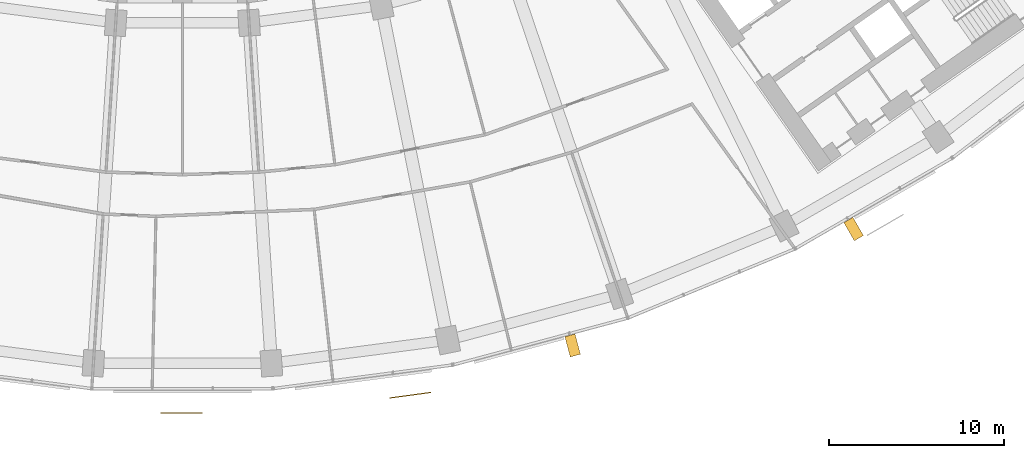
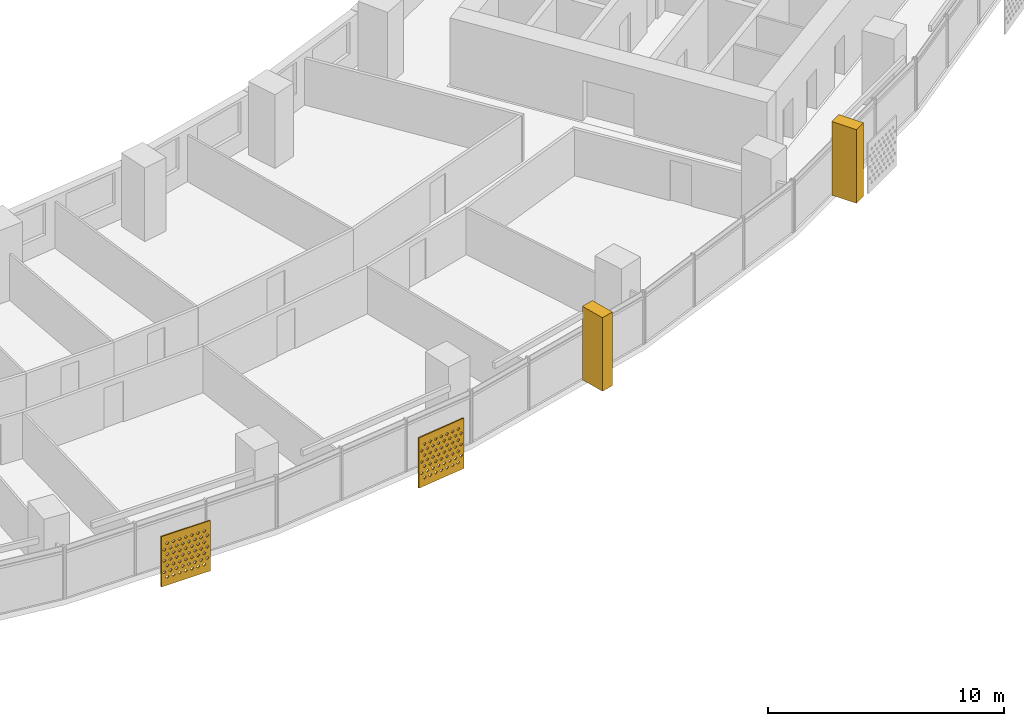
# One storey, part 27 of 29: 4 shading devices.
"""IFC4 building model written with IfcOpenShell, lengths in metres."""

from ifc_helpers import new_model, si_unit, direction, frame, origin, place, context, subcontext, project, spatial, polyline, outline, extrude, material, material_profile, profile_set, type_object, element, save


model = new_model("IFC4")

# Units and contexts
model_context = context("Model", 3, precision=1e-05, world=origin(), true_north=direction((0.0, 1.0)))
body_context = subcontext(model_context, "Body", "Model", "MODEL_VIEW")
ifc_project = project(units=[si_unit("LENGTHUNIT", "METRE"), si_unit("AREAUNIT", "SQUARE_METRE"), si_unit("VOLUMEUNIT", "CUBIC_METRE"), si_unit("PLANEANGLEUNIT", "RADIAN"), si_unit("MASSUNIT", "GRAM", prefix="KILO")], contexts=[model_context])

# Site, building, storey
site_placement = place(None, origin())
site = spatial("IfcSite", under=ifc_project, at=site_placement, CompositionType="ELEMENT")
building_placement = place(site_placement, origin())
building = spatial("IfcBuilding", under=site, at=building_placement, Name="Qamariyya Broadcast Tower", CompositionType="ELEMENT")
storey_placement = place(building_placement, frame((0.0, 0.0, 136.699951171875)))
storey = spatial("IfcBuildingStorey", under=building, at=storey_placement, Name="L31", CompositionType="ELEMENT", Elevation=136.699951171875)

# Shading devices
ifc_material_1 = material(Name="Steel S355 powder coated deep red", Category="steel")
shading_device_type_1 = type_object("IfcShadingDeviceType", Name="Deep red frame, powder coated steel box section", PredefinedType="USERDEFINED", material=ifc_material_1)
shading_device_1_placement = place(storey_placement, origin())
element("IfcShadingDevice", 1, at=shading_device_1_placement, inside=storey, type_object=shading_device_type_1, Name="e-frm-B2-F3-posta-L31", ObjectType="FRAME", PredefinedType="USERDEFINED", context=body_context, shape_type="SweptSolid", body=[
    extrude(outline(polyline([(21.860595703125, -76.064208984375), (22.171142578125, -77.22314453125), (22.750732421875, -77.06787109375), (22.440185546875, -75.908935546875), (21.860595703125, -76.064208984375)])), origin(), (0.0, 0.0, 1.0), 3.800048828125),
])
shading_device_2_placement = place(storey_placement, origin())
element("IfcShadingDevice", 2, at=shading_device_2_placement, inside=storey, type_object=shading_device_type_1, Name="e-frm-B2-F3-postb-L31", ObjectType="FRAME", PredefinedType="USERDEFINED", context=body_context, shape_type="SweptSolid", body=[
    extrude(outline(polyline([(37.80810546875, -69.543212890625), (38.408203125, -70.58251953125), (38.927734375, -70.282470703125), (38.32763671875, -69.2431640625), (37.80810546875, -69.543212890625)])), origin(), (0.0, 0.0, 1.0), 3.800048828125),
])
ifc_material_2 = material(Name="Perforated glazed terracotta", Category="masonry")
ifc_material_profile = material_profile(ifc_material_2, outline(polyline([(-1.199951171875, -1.300048828125), (1.199951171875, -1.300048828125), (1.199951171875, 1.300048828125), (-1.199951171875, 1.300048828125), (-1.199951171875, -1.300048828125)]), holes=[polyline([(-0.81494140625, -0.86669921875), (-0.89990234375, -0.78173828125), (-0.985107421875, -0.86669921875), (-0.89990234375, -0.95166015625), (-0.81494140625, -0.86669921875)]), polyline([(-0.514892578125, -0.86669921875), (-0.60009765625, -0.78173828125), (-0.68505859375, -0.86669921875), (-0.60009765625, -0.95166015625), (-0.514892578125, -0.86669921875)]), polyline([(-0.215087890625, -0.86669921875), (-0.300048828125, -0.78173828125), (-0.385009765625, -0.86669921875), (-0.300048828125, -0.95166015625), (-0.215087890625, -0.86669921875)]), polyline([(0.0849609375, -0.86669921875), (0.0, -0.78173828125), (-0.0849609375, -0.86669921875), (0.0, -0.95166015625), (0.0849609375, -0.86669921875)]), polyline([(0.385009765625, -0.86669921875), (0.300048828125, -0.78173828125), (0.215087890625, -0.86669921875), (0.300048828125, -0.95166015625), (0.385009765625, -0.86669921875)]), polyline([(0.68505859375, -0.86669921875), (0.60009765625, -0.78173828125), (0.514892578125, -0.86669921875), (0.60009765625, -0.95166015625), (0.68505859375, -0.86669921875)]), polyline([(0.985107421875, -0.86669921875), (0.89990234375, -0.78173828125), (0.81494140625, -0.86669921875), (0.89990234375, -0.95166015625), (0.985107421875, -0.86669921875)]), polyline([(-0.965087890625, -0.577880859375), (-1.050048828125, -0.49267578125), (-1.135009765625, -0.577880859375), (-1.050048828125, -0.662841796875), (-0.965087890625, -0.577880859375)]), polyline([(-0.6650390625, -0.577880859375), (-0.75, -0.49267578125), (-0.8349609375, -0.577880859375), (-0.75, -0.662841796875), (-0.6650390625, -0.577880859375)]), polyline([(-0.364990234375, -0.577880859375), (-0.449951171875, -0.49267578125), (-0.534912109375, -0.577880859375), (-0.449951171875, -0.662841796875), (-0.364990234375, -0.577880859375)]), polyline([(-0.06494140625, -0.577880859375), (-0.14990234375, -0.49267578125), (-0.235107421875, -0.577880859375), (-0.14990234375, -0.662841796875), (-0.06494140625, -0.577880859375)]), polyline([(0.235107421875, -0.577880859375), (0.14990234375, -0.49267578125), (0.06494140625, -0.577880859375), (0.14990234375, -0.662841796875), (0.235107421875, -0.577880859375)]), polyline([(0.534912109375, -0.577880859375), (0.449951171875, -0.49267578125), (0.364990234375, -0.577880859375), (0.449951171875, -0.662841796875), (0.534912109375, -0.577880859375)]), polyline([(0.8349609375, -0.577880859375), (0.75, -0.49267578125), (0.6650390625, -0.577880859375), (0.75, -0.662841796875), (0.8349609375, -0.577880859375)]), polyline([(1.135009765625, -0.577880859375), (1.050048828125, -0.49267578125), (0.965087890625, -0.577880859375), (1.050048828125, -0.662841796875), (1.135009765625, -0.577880859375)]), polyline([(-0.81494140625, -0.288818359375), (-0.89990234375, -0.203857421875), (-0.985107421875, -0.288818359375), (-0.89990234375, -0.373779296875), (-0.81494140625, -0.288818359375)]), polyline([(-0.514892578125, -0.288818359375), (-0.60009765625, -0.203857421875), (-0.68505859375, -0.288818359375), (-0.60009765625, -0.373779296875), (-0.514892578125, -0.288818359375)]), polyline([(-0.215087890625, -0.288818359375), (-0.300048828125, -0.203857421875), (-0.385009765625, -0.288818359375), (-0.300048828125, -0.373779296875), (-0.215087890625, -0.288818359375)]), polyline([(0.0849609375, -0.288818359375), (0.0, -0.203857421875), (-0.0849609375, -0.288818359375), (0.0, -0.373779296875), (0.0849609375, -0.288818359375)]), polyline([(0.385009765625, -0.288818359375), (0.300048828125, -0.203857421875), (0.215087890625, -0.288818359375), (0.300048828125, -0.373779296875), (0.385009765625, -0.288818359375)]), polyline([(0.68505859375, -0.288818359375), (0.60009765625, -0.203857421875), (0.514892578125, -0.288818359375), (0.60009765625, -0.373779296875), (0.68505859375, -0.288818359375)]), polyline([(0.985107421875, -0.288818359375), (0.89990234375, -0.203857421875), (0.81494140625, -0.288818359375), (0.89990234375, -0.373779296875), (0.985107421875, -0.288818359375)]), polyline([(-0.965087890625, 0.0), (-1.050048828125, 0.0849609375), (-1.135009765625, 0.0), (-1.050048828125, -0.0849609375), (-0.965087890625, 0.0)]), polyline([(-0.6650390625, 0.0), (-0.75, 0.0849609375), (-0.8349609375, 0.0), (-0.75, -0.0849609375), (-0.6650390625, 0.0)]), polyline([(-0.364990234375, 0.0), (-0.449951171875, 0.0849609375), (-0.534912109375, 0.0), (-0.449951171875, -0.0849609375), (-0.364990234375, 0.0)]), polyline([(-0.06494140625, 0.0), (-0.14990234375, 0.0849609375), (-0.235107421875, 0.0), (-0.14990234375, -0.0849609375), (-0.06494140625, 0.0)]), polyline([(0.235107421875, 0.0), (0.14990234375, 0.0849609375), (0.06494140625, 0.0), (0.14990234375, -0.0849609375), (0.235107421875, 0.0)]), polyline([(0.534912109375, 0.0), (0.449951171875, 0.0849609375), (0.364990234375, 0.0), (0.449951171875, -0.0849609375), (0.534912109375, 0.0)]), polyline([(0.8349609375, 0.0), (0.75, 0.0849609375), (0.6650390625, 0.0), (0.75, -0.0849609375), (0.8349609375, 0.0)]), polyline([(1.135009765625, 0.0), (1.050048828125, 0.0849609375), (0.965087890625, 0.0), (1.050048828125, -0.0849609375), (1.135009765625, 0.0)]), polyline([(-0.81494140625, 0.288818359375), (-0.89990234375, 0.373779296875), (-0.985107421875, 0.288818359375), (-0.89990234375, 0.203857421875), (-0.81494140625, 0.288818359375)]), polyline([(-0.514892578125, 0.288818359375), (-0.60009765625, 0.373779296875), (-0.68505859375, 0.288818359375), (-0.60009765625, 0.203857421875), (-0.514892578125, 0.288818359375)]), polyline([(-0.215087890625, 0.288818359375), (-0.300048828125, 0.373779296875), (-0.385009765625, 0.288818359375), (-0.300048828125, 0.203857421875), (-0.215087890625, 0.288818359375)]), polyline([(0.0849609375, 0.288818359375), (0.0, 0.373779296875), (-0.0849609375, 0.288818359375), (0.0, 0.203857421875), (0.0849609375, 0.288818359375)]), polyline([(0.385009765625, 0.288818359375), (0.300048828125, 0.373779296875), (0.215087890625, 0.288818359375), (0.300048828125, 0.203857421875), (0.385009765625, 0.288818359375)]), polyline([(0.68505859375, 0.288818359375), (0.60009765625, 0.373779296875), (0.514892578125, 0.288818359375), (0.60009765625, 0.203857421875), (0.68505859375, 0.288818359375)]), polyline([(0.985107421875, 0.288818359375), (0.89990234375, 0.373779296875), (0.81494140625, 0.288818359375), (0.89990234375, 0.203857421875), (0.985107421875, 0.288818359375)]), polyline([(-0.965087890625, 0.577880859375), (-1.050048828125, 0.662841796875), (-1.135009765625, 0.577880859375), (-1.050048828125, 0.49267578125), (-0.965087890625, 0.577880859375)]), polyline([(-0.6650390625, 0.577880859375), (-0.75, 0.662841796875), (-0.8349609375, 0.577880859375), (-0.75, 0.49267578125), (-0.6650390625, 0.577880859375)]), polyline([(-0.364990234375, 0.577880859375), (-0.449951171875, 0.662841796875), (-0.534912109375, 0.577880859375), (-0.449951171875, 0.49267578125), (-0.364990234375, 0.577880859375)]), polyline([(-0.06494140625, 0.577880859375), (-0.14990234375, 0.662841796875), (-0.235107421875, 0.577880859375), (-0.14990234375, 0.49267578125), (-0.06494140625, 0.577880859375)]), polyline([(0.235107421875, 0.577880859375), (0.14990234375, 0.662841796875), (0.06494140625, 0.577880859375), (0.14990234375, 0.49267578125), (0.235107421875, 0.577880859375)]), polyline([(0.534912109375, 0.577880859375), (0.449951171875, 0.662841796875), (0.364990234375, 0.577880859375), (0.449951171875, 0.49267578125), (0.534912109375, 0.577880859375)]), polyline([(0.8349609375, 0.577880859375), (0.75, 0.662841796875), (0.6650390625, 0.577880859375), (0.75, 0.49267578125), (0.8349609375, 0.577880859375)]), polyline([(1.135009765625, 0.577880859375), (1.050048828125, 0.662841796875), (0.965087890625, 0.577880859375), (1.050048828125, 0.49267578125), (1.135009765625, 0.577880859375)]), polyline([(-0.81494140625, 0.86669921875), (-0.89990234375, 0.95166015625), (-0.985107421875, 0.86669921875), (-0.89990234375, 0.78173828125), (-0.81494140625, 0.86669921875)]), polyline([(-0.514892578125, 0.86669921875), (-0.60009765625, 0.95166015625), (-0.68505859375, 0.86669921875), (-0.60009765625, 0.78173828125), (-0.514892578125, 0.86669921875)]), polyline([(-0.215087890625, 0.86669921875), (-0.300048828125, 0.95166015625), (-0.385009765625, 0.86669921875), (-0.300048828125, 0.78173828125), (-0.215087890625, 0.86669921875)]), polyline([(0.0849609375, 0.86669921875), (0.0, 0.95166015625), (-0.0849609375, 0.86669921875), (0.0, 0.78173828125), (0.0849609375, 0.86669921875)]), polyline([(0.385009765625, 0.86669921875), (0.300048828125, 0.95166015625), (0.215087890625, 0.86669921875), (0.300048828125, 0.78173828125), (0.385009765625, 0.86669921875)]), polyline([(0.68505859375, 0.86669921875), (0.60009765625, 0.95166015625), (0.514892578125, 0.86669921875), (0.60009765625, 0.78173828125), (0.68505859375, 0.86669921875)]), polyline([(0.985107421875, 0.86669921875), (0.89990234375, 0.95166015625), (0.81494140625, 0.86669921875), (0.89990234375, 0.78173828125), (0.985107421875, 0.86669921875)])]))
ifc_profile_set = profile_set([ifc_material_profile], Name="Perforated glazed terracotta")
shading_device_type_2 = type_object("IfcShadingDeviceType", Name="Perforated terracotta screen 2400 x 2600", PredefinedType="USERDEFINED", material=ifc_profile_set)
shading_device_3_placement = place(storey_placement, frame((-0.046630859375, -80.400146484375, 1.35009765625), z_axis=(0.0, -1.0, 0.0), x_axis=(1.0, 0.0, 0.0)))
element("IfcShadingDevice", 3, at=shading_device_3_placement, inside=storey, type_object=shading_device_type_2, Name="e-scr-L31-09-1", ObjectType="SCREEN", PredefinedType="USERDEFINED", context=body_context, shape_type="SweptSolid", body=[
    extrude(outline(polyline([(-1.199951171875, -1.300048828125), (1.199951171875, -1.300048828125), (1.199951171875, 1.300048828125), (-1.199951171875, 1.300048828125), (-1.199951171875, -1.300048828125)]), holes=[polyline([(-0.81494140625, -0.86669921875), (-0.89990234375, -0.78173828125), (-0.985107421875, -0.86669921875), (-0.89990234375, -0.95166015625), (-0.81494140625, -0.86669921875)]), polyline([(-0.514892578125, -0.86669921875), (-0.60009765625, -0.78173828125), (-0.68505859375, -0.86669921875), (-0.60009765625, -0.95166015625), (-0.514892578125, -0.86669921875)]), polyline([(-0.215087890625, -0.86669921875), (-0.300048828125, -0.78173828125), (-0.385009765625, -0.86669921875), (-0.300048828125, -0.95166015625), (-0.215087890625, -0.86669921875)]), polyline([(0.0849609375, -0.86669921875), (0.0, -0.78173828125), (-0.0849609375, -0.86669921875), (0.0, -0.95166015625), (0.0849609375, -0.86669921875)]), polyline([(0.385009765625, -0.86669921875), (0.300048828125, -0.78173828125), (0.215087890625, -0.86669921875), (0.300048828125, -0.95166015625), (0.385009765625, -0.86669921875)]), polyline([(0.68505859375, -0.86669921875), (0.60009765625, -0.78173828125), (0.514892578125, -0.86669921875), (0.60009765625, -0.95166015625), (0.68505859375, -0.86669921875)]), polyline([(0.985107421875, -0.86669921875), (0.89990234375, -0.78173828125), (0.81494140625, -0.86669921875), (0.89990234375, -0.95166015625), (0.985107421875, -0.86669921875)]), polyline([(-0.965087890625, -0.577880859375), (-1.050048828125, -0.49267578125), (-1.135009765625, -0.577880859375), (-1.050048828125, -0.662841796875), (-0.965087890625, -0.577880859375)]), polyline([(-0.6650390625, -0.577880859375), (-0.75, -0.49267578125), (-0.8349609375, -0.577880859375), (-0.75, -0.662841796875), (-0.6650390625, -0.577880859375)]), polyline([(-0.364990234375, -0.577880859375), (-0.449951171875, -0.49267578125), (-0.534912109375, -0.577880859375), (-0.449951171875, -0.662841796875), (-0.364990234375, -0.577880859375)]), polyline([(-0.06494140625, -0.577880859375), (-0.14990234375, -0.49267578125), (-0.235107421875, -0.577880859375), (-0.14990234375, -0.662841796875), (-0.06494140625, -0.577880859375)]), polyline([(0.235107421875, -0.577880859375), (0.14990234375, -0.49267578125), (0.06494140625, -0.577880859375), (0.14990234375, -0.662841796875), (0.235107421875, -0.577880859375)]), polyline([(0.534912109375, -0.577880859375), (0.449951171875, -0.49267578125), (0.364990234375, -0.577880859375), (0.449951171875, -0.662841796875), (0.534912109375, -0.577880859375)]), polyline([(0.8349609375, -0.577880859375), (0.75, -0.49267578125), (0.6650390625, -0.577880859375), (0.75, -0.662841796875), (0.8349609375, -0.577880859375)]), polyline([(1.135009765625, -0.577880859375), (1.050048828125, -0.49267578125), (0.965087890625, -0.577880859375), (1.050048828125, -0.662841796875), (1.135009765625, -0.577880859375)]), polyline([(-0.81494140625, -0.288818359375), (-0.89990234375, -0.203857421875), (-0.985107421875, -0.288818359375), (-0.89990234375, -0.373779296875), (-0.81494140625, -0.288818359375)]), polyline([(-0.514892578125, -0.288818359375), (-0.60009765625, -0.203857421875), (-0.68505859375, -0.288818359375), (-0.60009765625, -0.373779296875), (-0.514892578125, -0.288818359375)]), polyline([(-0.215087890625, -0.288818359375), (-0.300048828125, -0.203857421875), (-0.385009765625, -0.288818359375), (-0.300048828125, -0.373779296875), (-0.215087890625, -0.288818359375)]), polyline([(0.0849609375, -0.288818359375), (0.0, -0.203857421875), (-0.0849609375, -0.288818359375), (0.0, -0.373779296875), (0.0849609375, -0.288818359375)]), polyline([(0.385009765625, -0.288818359375), (0.300048828125, -0.203857421875), (0.215087890625, -0.288818359375), (0.300048828125, -0.373779296875), (0.385009765625, -0.288818359375)]), polyline([(0.68505859375, -0.288818359375), (0.60009765625, -0.203857421875), (0.514892578125, -0.288818359375), (0.60009765625, -0.373779296875), (0.68505859375, -0.288818359375)]), polyline([(0.985107421875, -0.288818359375), (0.89990234375, -0.203857421875), (0.81494140625, -0.288818359375), (0.89990234375, -0.373779296875), (0.985107421875, -0.288818359375)]), polyline([(-0.965087890625, 0.0), (-1.050048828125, 0.0849609375), (-1.135009765625, 0.0), (-1.050048828125, -0.0849609375), (-0.965087890625, 0.0)]), polyline([(-0.6650390625, 0.0), (-0.75, 0.0849609375), (-0.8349609375, 0.0), (-0.75, -0.0849609375), (-0.6650390625, 0.0)]), polyline([(-0.364990234375, 0.0), (-0.449951171875, 0.0849609375), (-0.534912109375, 0.0), (-0.449951171875, -0.0849609375), (-0.364990234375, 0.0)]), polyline([(-0.06494140625, 0.0), (-0.14990234375, 0.0849609375), (-0.235107421875, 0.0), (-0.14990234375, -0.0849609375), (-0.06494140625, 0.0)]), polyline([(0.235107421875, 0.0), (0.14990234375, 0.0849609375), (0.06494140625, 0.0), (0.14990234375, -0.0849609375), (0.235107421875, 0.0)]), polyline([(0.534912109375, 0.0), (0.449951171875, 0.0849609375), (0.364990234375, 0.0), (0.449951171875, -0.0849609375), (0.534912109375, 0.0)]), polyline([(0.8349609375, 0.0), (0.75, 0.0849609375), (0.6650390625, 0.0), (0.75, -0.0849609375), (0.8349609375, 0.0)]), polyline([(1.135009765625, 0.0), (1.050048828125, 0.0849609375), (0.965087890625, 0.0), (1.050048828125, -0.0849609375), (1.135009765625, 0.0)]), polyline([(-0.81494140625, 0.288818359375), (-0.89990234375, 0.373779296875), (-0.985107421875, 0.288818359375), (-0.89990234375, 0.203857421875), (-0.81494140625, 0.288818359375)]), polyline([(-0.514892578125, 0.288818359375), (-0.60009765625, 0.373779296875), (-0.68505859375, 0.288818359375), (-0.60009765625, 0.203857421875), (-0.514892578125, 0.288818359375)]), polyline([(-0.215087890625, 0.288818359375), (-0.300048828125, 0.373779296875), (-0.385009765625, 0.288818359375), (-0.300048828125, 0.203857421875), (-0.215087890625, 0.288818359375)]), polyline([(0.0849609375, 0.288818359375), (0.0, 0.373779296875), (-0.0849609375, 0.288818359375), (0.0, 0.203857421875), (0.0849609375, 0.288818359375)]), polyline([(0.385009765625, 0.288818359375), (0.300048828125, 0.373779296875), (0.215087890625, 0.288818359375), (0.300048828125, 0.203857421875), (0.385009765625, 0.288818359375)]), polyline([(0.68505859375, 0.288818359375), (0.60009765625, 0.373779296875), (0.514892578125, 0.288818359375), (0.60009765625, 0.203857421875), (0.68505859375, 0.288818359375)]), polyline([(0.985107421875, 0.288818359375), (0.89990234375, 0.373779296875), (0.81494140625, 0.288818359375), (0.89990234375, 0.203857421875), (0.985107421875, 0.288818359375)]), polyline([(-0.965087890625, 0.577880859375), (-1.050048828125, 0.662841796875), (-1.135009765625, 0.577880859375), (-1.050048828125, 0.49267578125), (-0.965087890625, 0.577880859375)]), polyline([(-0.6650390625, 0.577880859375), (-0.75, 0.662841796875), (-0.8349609375, 0.577880859375), (-0.75, 0.49267578125), (-0.6650390625, 0.577880859375)]), polyline([(-0.364990234375, 0.577880859375), (-0.449951171875, 0.662841796875), (-0.534912109375, 0.577880859375), (-0.449951171875, 0.49267578125), (-0.364990234375, 0.577880859375)]), polyline([(-0.06494140625, 0.577880859375), (-0.14990234375, 0.662841796875), (-0.235107421875, 0.577880859375), (-0.14990234375, 0.49267578125), (-0.06494140625, 0.577880859375)]), polyline([(0.235107421875, 0.577880859375), (0.14990234375, 0.662841796875), (0.06494140625, 0.577880859375), (0.14990234375, 0.49267578125), (0.235107421875, 0.577880859375)]), polyline([(0.534912109375, 0.577880859375), (0.449951171875, 0.662841796875), (0.364990234375, 0.577880859375), (0.449951171875, 0.49267578125), (0.534912109375, 0.577880859375)]), polyline([(0.8349609375, 0.577880859375), (0.75, 0.662841796875), (0.6650390625, 0.577880859375), (0.75, 0.49267578125), (0.8349609375, 0.577880859375)]), polyline([(1.135009765625, 0.577880859375), (1.050048828125, 0.662841796875), (0.965087890625, 0.577880859375), (1.050048828125, 0.49267578125), (1.135009765625, 0.577880859375)]), polyline([(-0.81494140625, 0.86669921875), (-0.89990234375, 0.95166015625), (-0.985107421875, 0.86669921875), (-0.89990234375, 0.78173828125), (-0.81494140625, 0.86669921875)]), polyline([(-0.514892578125, 0.86669921875), (-0.60009765625, 0.95166015625), (-0.68505859375, 0.86669921875), (-0.60009765625, 0.78173828125), (-0.514892578125, 0.86669921875)]), polyline([(-0.215087890625, 0.86669921875), (-0.300048828125, 0.95166015625), (-0.385009765625, 0.86669921875), (-0.300048828125, 0.78173828125), (-0.215087890625, 0.86669921875)]), polyline([(0.0849609375, 0.86669921875), (0.0, 0.95166015625), (-0.0849609375, 0.86669921875), (0.0, 0.78173828125), (0.0849609375, 0.86669921875)]), polyline([(0.385009765625, 0.86669921875), (0.300048828125, 0.95166015625), (0.215087890625, 0.86669921875), (0.300048828125, 0.78173828125), (0.385009765625, 0.86669921875)]), polyline([(0.68505859375, 0.86669921875), (0.60009765625, 0.95166015625), (0.514892578125, 0.86669921875), (0.60009765625, 0.78173828125), (0.68505859375, 0.86669921875)]), polyline([(0.985107421875, 0.86669921875), (0.89990234375, 0.95166015625), (0.81494140625, 0.86669921875), (0.89990234375, 0.78173828125), (0.985107421875, 0.86669921875)])]), origin(), (0.0, 0.0, 1.0), 0.06005859375),
])
shading_device_4_placement = place(storey_placement, frame((13.01904296875, -79.3798828125, 1.35009765625), z_axis=(0.134025693798, -0.99097785717, 0.0), x_axis=(0.99097785717, 0.134025693798, 0.0)))
element("IfcShadingDevice", 4, at=shading_device_4_placement, inside=storey, type_object=shading_device_type_2, Name="e-scr-L31-10-2", ObjectType="SCREEN", PredefinedType="USERDEFINED", context=body_context, shape_type="SweptSolid", body=[
    extrude(outline(polyline([(-1.199951171875, -1.300048828125), (1.199951171875, -1.300048828125), (1.199951171875, 1.300048828125), (-1.199951171875, 1.300048828125), (-1.199951171875, -1.300048828125)]), holes=[polyline([(-0.81494140625, -0.86669921875), (-0.89990234375, -0.78173828125), (-0.985107421875, -0.86669921875), (-0.89990234375, -0.95166015625), (-0.81494140625, -0.86669921875)]), polyline([(-0.514892578125, -0.86669921875), (-0.60009765625, -0.78173828125), (-0.68505859375, -0.86669921875), (-0.60009765625, -0.95166015625), (-0.514892578125, -0.86669921875)]), polyline([(-0.215087890625, -0.86669921875), (-0.300048828125, -0.78173828125), (-0.385009765625, -0.86669921875), (-0.300048828125, -0.95166015625), (-0.215087890625, -0.86669921875)]), polyline([(0.0849609375, -0.86669921875), (0.0, -0.78173828125), (-0.0849609375, -0.86669921875), (0.0, -0.95166015625), (0.0849609375, -0.86669921875)]), polyline([(0.385009765625, -0.86669921875), (0.300048828125, -0.78173828125), (0.215087890625, -0.86669921875), (0.300048828125, -0.95166015625), (0.385009765625, -0.86669921875)]), polyline([(0.68505859375, -0.86669921875), (0.60009765625, -0.78173828125), (0.514892578125, -0.86669921875), (0.60009765625, -0.95166015625), (0.68505859375, -0.86669921875)]), polyline([(0.985107421875, -0.86669921875), (0.89990234375, -0.78173828125), (0.81494140625, -0.86669921875), (0.89990234375, -0.95166015625), (0.985107421875, -0.86669921875)]), polyline([(-0.965087890625, -0.577880859375), (-1.050048828125, -0.49267578125), (-1.135009765625, -0.577880859375), (-1.050048828125, -0.662841796875), (-0.965087890625, -0.577880859375)]), polyline([(-0.6650390625, -0.577880859375), (-0.75, -0.49267578125), (-0.8349609375, -0.577880859375), (-0.75, -0.662841796875), (-0.6650390625, -0.577880859375)]), polyline([(-0.364990234375, -0.577880859375), (-0.449951171875, -0.49267578125), (-0.534912109375, -0.577880859375), (-0.449951171875, -0.662841796875), (-0.364990234375, -0.577880859375)]), polyline([(-0.06494140625, -0.577880859375), (-0.14990234375, -0.49267578125), (-0.235107421875, -0.577880859375), (-0.14990234375, -0.662841796875), (-0.06494140625, -0.577880859375)]), polyline([(0.235107421875, -0.577880859375), (0.14990234375, -0.49267578125), (0.06494140625, -0.577880859375), (0.14990234375, -0.662841796875), (0.235107421875, -0.577880859375)]), polyline([(0.534912109375, -0.577880859375), (0.449951171875, -0.49267578125), (0.364990234375, -0.577880859375), (0.449951171875, -0.662841796875), (0.534912109375, -0.577880859375)]), polyline([(0.8349609375, -0.577880859375), (0.75, -0.49267578125), (0.6650390625, -0.577880859375), (0.75, -0.662841796875), (0.8349609375, -0.577880859375)]), polyline([(1.135009765625, -0.577880859375), (1.050048828125, -0.49267578125), (0.965087890625, -0.577880859375), (1.050048828125, -0.662841796875), (1.135009765625, -0.577880859375)]), polyline([(-0.81494140625, -0.288818359375), (-0.89990234375, -0.203857421875), (-0.985107421875, -0.288818359375), (-0.89990234375, -0.373779296875), (-0.81494140625, -0.288818359375)]), polyline([(-0.514892578125, -0.288818359375), (-0.60009765625, -0.203857421875), (-0.68505859375, -0.288818359375), (-0.60009765625, -0.373779296875), (-0.514892578125, -0.288818359375)]), polyline([(-0.215087890625, -0.288818359375), (-0.300048828125, -0.203857421875), (-0.385009765625, -0.288818359375), (-0.300048828125, -0.373779296875), (-0.215087890625, -0.288818359375)]), polyline([(0.0849609375, -0.288818359375), (0.0, -0.203857421875), (-0.0849609375, -0.288818359375), (0.0, -0.373779296875), (0.0849609375, -0.288818359375)]), polyline([(0.385009765625, -0.288818359375), (0.300048828125, -0.203857421875), (0.215087890625, -0.288818359375), (0.300048828125, -0.373779296875), (0.385009765625, -0.288818359375)]), polyline([(0.68505859375, -0.288818359375), (0.60009765625, -0.203857421875), (0.514892578125, -0.288818359375), (0.60009765625, -0.373779296875), (0.68505859375, -0.288818359375)]), polyline([(0.985107421875, -0.288818359375), (0.89990234375, -0.203857421875), (0.81494140625, -0.288818359375), (0.89990234375, -0.373779296875), (0.985107421875, -0.288818359375)]), polyline([(-0.965087890625, 0.0), (-1.050048828125, 0.0849609375), (-1.135009765625, 0.0), (-1.050048828125, -0.0849609375), (-0.965087890625, 0.0)]), polyline([(-0.6650390625, 0.0), (-0.75, 0.0849609375), (-0.8349609375, 0.0), (-0.75, -0.0849609375), (-0.6650390625, 0.0)]), polyline([(-0.364990234375, 0.0), (-0.449951171875, 0.0849609375), (-0.534912109375, 0.0), (-0.449951171875, -0.0849609375), (-0.364990234375, 0.0)]), polyline([(-0.06494140625, 0.0), (-0.14990234375, 0.0849609375), (-0.235107421875, 0.0), (-0.14990234375, -0.0849609375), (-0.06494140625, 0.0)]), polyline([(0.235107421875, 0.0), (0.14990234375, 0.0849609375), (0.06494140625, 0.0), (0.14990234375, -0.0849609375), (0.235107421875, 0.0)]), polyline([(0.534912109375, 0.0), (0.449951171875, 0.0849609375), (0.364990234375, 0.0), (0.449951171875, -0.0849609375), (0.534912109375, 0.0)]), polyline([(0.8349609375, 0.0), (0.75, 0.0849609375), (0.6650390625, 0.0), (0.75, -0.0849609375), (0.8349609375, 0.0)]), polyline([(1.135009765625, 0.0), (1.050048828125, 0.0849609375), (0.965087890625, 0.0), (1.050048828125, -0.0849609375), (1.135009765625, 0.0)]), polyline([(-0.81494140625, 0.288818359375), (-0.89990234375, 0.373779296875), (-0.985107421875, 0.288818359375), (-0.89990234375, 0.203857421875), (-0.81494140625, 0.288818359375)]), polyline([(-0.514892578125, 0.288818359375), (-0.60009765625, 0.373779296875), (-0.68505859375, 0.288818359375), (-0.60009765625, 0.203857421875), (-0.514892578125, 0.288818359375)]), polyline([(-0.215087890625, 0.288818359375), (-0.300048828125, 0.373779296875), (-0.385009765625, 0.288818359375), (-0.300048828125, 0.203857421875), (-0.215087890625, 0.288818359375)]), polyline([(0.0849609375, 0.288818359375), (0.0, 0.373779296875), (-0.0849609375, 0.288818359375), (0.0, 0.203857421875), (0.0849609375, 0.288818359375)]), polyline([(0.385009765625, 0.288818359375), (0.300048828125, 0.373779296875), (0.215087890625, 0.288818359375), (0.300048828125, 0.203857421875), (0.385009765625, 0.288818359375)]), polyline([(0.68505859375, 0.288818359375), (0.60009765625, 0.373779296875), (0.514892578125, 0.288818359375), (0.60009765625, 0.203857421875), (0.68505859375, 0.288818359375)]), polyline([(0.985107421875, 0.288818359375), (0.89990234375, 0.373779296875), (0.81494140625, 0.288818359375), (0.89990234375, 0.203857421875), (0.985107421875, 0.288818359375)]), polyline([(-0.965087890625, 0.577880859375), (-1.050048828125, 0.662841796875), (-1.135009765625, 0.577880859375), (-1.050048828125, 0.49267578125), (-0.965087890625, 0.577880859375)]), polyline([(-0.6650390625, 0.577880859375), (-0.75, 0.662841796875), (-0.8349609375, 0.577880859375), (-0.75, 0.49267578125), (-0.6650390625, 0.577880859375)]), polyline([(-0.364990234375, 0.577880859375), (-0.449951171875, 0.662841796875), (-0.534912109375, 0.577880859375), (-0.449951171875, 0.49267578125), (-0.364990234375, 0.577880859375)]), polyline([(-0.06494140625, 0.577880859375), (-0.14990234375, 0.662841796875), (-0.235107421875, 0.577880859375), (-0.14990234375, 0.49267578125), (-0.06494140625, 0.577880859375)]), polyline([(0.235107421875, 0.577880859375), (0.14990234375, 0.662841796875), (0.06494140625, 0.577880859375), (0.14990234375, 0.49267578125), (0.235107421875, 0.577880859375)]), polyline([(0.534912109375, 0.577880859375), (0.449951171875, 0.662841796875), (0.364990234375, 0.577880859375), (0.449951171875, 0.49267578125), (0.534912109375, 0.577880859375)]), polyline([(0.8349609375, 0.577880859375), (0.75, 0.662841796875), (0.6650390625, 0.577880859375), (0.75, 0.49267578125), (0.8349609375, 0.577880859375)]), polyline([(1.135009765625, 0.577880859375), (1.050048828125, 0.662841796875), (0.965087890625, 0.577880859375), (1.050048828125, 0.49267578125), (1.135009765625, 0.577880859375)]), polyline([(-0.81494140625, 0.86669921875), (-0.89990234375, 0.95166015625), (-0.985107421875, 0.86669921875), (-0.89990234375, 0.78173828125), (-0.81494140625, 0.86669921875)]), polyline([(-0.514892578125, 0.86669921875), (-0.60009765625, 0.95166015625), (-0.68505859375, 0.86669921875), (-0.60009765625, 0.78173828125), (-0.514892578125, 0.86669921875)]), polyline([(-0.215087890625, 0.86669921875), (-0.300048828125, 0.95166015625), (-0.385009765625, 0.86669921875), (-0.300048828125, 0.78173828125), (-0.215087890625, 0.86669921875)]), polyline([(0.0849609375, 0.86669921875), (0.0, 0.95166015625), (-0.0849609375, 0.86669921875), (0.0, 0.78173828125), (0.0849609375, 0.86669921875)]), polyline([(0.385009765625, 0.86669921875), (0.300048828125, 0.95166015625), (0.215087890625, 0.86669921875), (0.300048828125, 0.78173828125), (0.385009765625, 0.86669921875)]), polyline([(0.68505859375, 0.86669921875), (0.60009765625, 0.95166015625), (0.514892578125, 0.86669921875), (0.60009765625, 0.78173828125), (0.68505859375, 0.86669921875)]), polyline([(0.985107421875, 0.86669921875), (0.89990234375, 0.95166015625), (0.81494140625, 0.86669921875), (0.89990234375, 0.78173828125), (0.985107421875, 0.86669921875)])]), origin(), (0.0, 0.0, 1.0), 0.06005859375),
])

save(model, "model.ifc")
